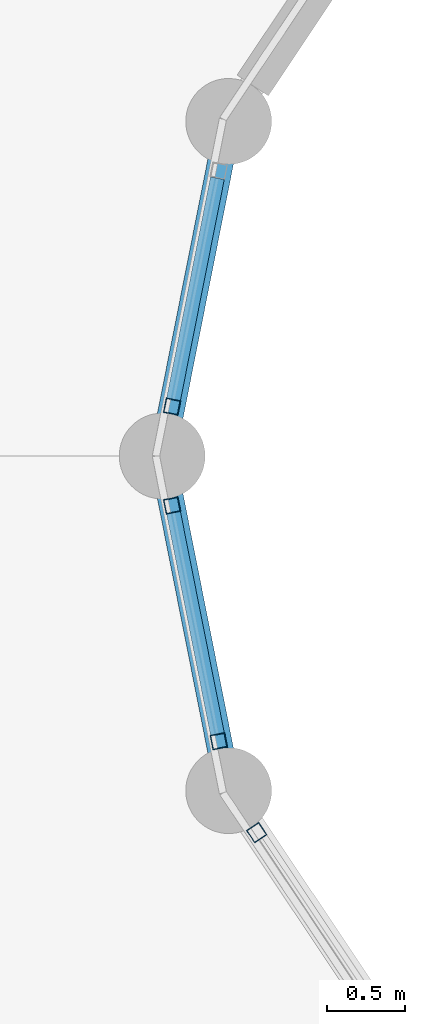
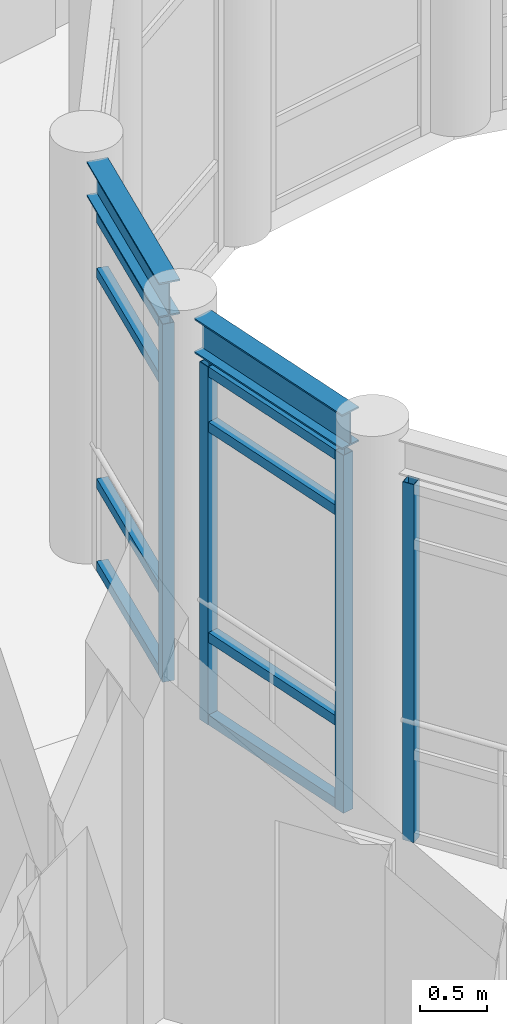
# One storey, part 60 of 149: 12 members, 2 beams, 3 elements without a shape of their own.
"""IFC4 building model written with IfcOpenShell, lengths in metres."""

from ifc_helpers import new_model, si_unit, direction, frame, origin, origin_2d, place, context, subcontext, project, spatial, hollow_rectangle, i_section, extrude, material, material_profile, profile_set, type_object, element, aggregate, save


model = new_model("IFC4")

# Units and contexts
model_context = context("Model", 3, precision=1e-05, world=origin(), true_north=direction((0.0, 1.0)))
body_context = subcontext(model_context, "Body", "Model", "MODEL_VIEW")
ifc_project = project(units=[si_unit("LENGTHUNIT", "METRE"), si_unit("AREAUNIT", "SQUARE_METRE"), si_unit("VOLUMEUNIT", "CUBIC_METRE"), si_unit("PLANEANGLEUNIT", "RADIAN"), si_unit("MASSUNIT", "GRAM", prefix="KILO")], contexts=[model_context])

# Site, building, storey
site_placement = place(None, origin())
site = spatial("IfcSite", under=ifc_project, at=site_placement, CompositionType="ELEMENT")
building_placement = place(site_placement, origin())
building = spatial("IfcBuilding", under=site, at=building_placement, Name="Celadon Cloister-Ring School", CompositionType="ELEMENT")
storey_placement = place(building_placement, frame((0.0, 0.0, 12.5)))
storey = spatial("IfcBuildingStorey", under=building, at=storey_placement, Name="L03", CompositionType="ELEMENT", Elevation=12.5)

# Curtain wall, member
ifc_material_1 = material(Name="Aluminium EN AW-6063 T6", Category="aluminium")
curtain_wall_type = type_object("IfcCurtainWallType", Name="CW-05", PredefinedType="USERDEFINED", material=ifc_material_1)
curtain_wall_1_placement = place(storey_placement, origin())
curtain_wall_1 = element("IfcCurtainWall", 1, at=curtain_wall_1_placement, inside=storey, type_object=curtain_wall_type, Name="Curtain Wall 0120", ObjectType="CURTAIN WALL", PredefinedType="USERDEFINED")
ifc_material_2 = material(Name="Aluminium EN AW-6063 T6", Category="aluminium")
ifc_material_profile_1 = material_profile(ifc_material_2, hollow_rectangle(XDim=0.094970703125, YDim=0.094970703125, WallThickness=0.00390625, at=origin_2d()), Name="RHS95X95X4")
ifc_profile_set_1 = profile_set([ifc_material_profile_1], Name="Aluminium EN AW-6063 T6")
member_type_1 = type_object("IfcMemberType", Name="CM-02", PredefinedType="MULLION", material=ifc_profile_set_1)
member_1_placement = place(storey_placement, frame((14.663330078125, 97.316650390625, 0.0), z_axis=(0.0, 0.0, 1.0), x_axis=(0.980885435464, -0.194586131301, 0.0)))
member_1 = element("IfcMember", 2, at=member_1_placement, type_object=member_type_1, Name="CW-05 mullion 2", PredefinedType="MULLION", context=body_context, shape_type="SweptSolid", body=[
    extrude(hollow_rectangle(XDim=0.094970703125, YDim=0.094970703125, WallThickness=0.00390625, at=origin_2d()), origin(), (0.0, 0.0, 1.0), 3.27490234375),
])

# Curtain wall, members
curtain_wall_2_placement = place(storey_placement, origin())
curtain_wall_2 = element("IfcCurtainWall", 3, at=curtain_wall_2_placement, inside=storey, type_object=curtain_wall_type, Name="Curtain Wall 0121", ObjectType="CURTAIN WALL", PredefinedType="USERDEFINED")
member_2_placement = place(storey_placement, frame((14.663330078125, 96.683349609375, 0.0), z_axis=(0.0, 0.0, 1.0), x_axis=(0.980885435464, 0.194586131301, 0.0)))
member_2 = element("IfcMember", 4, at=member_2_placement, type_object=member_type_1, Name="CW-05 mullion 1", PredefinedType="MULLION", context=body_context, shape_type="SweptSolid", body=[
    extrude(hollow_rectangle(XDim=0.094970703125, YDim=0.094970703125, WallThickness=0.00390625, at=origin_2d()), origin(), (0.0, 0.0, 1.0), 3.27490234375),
])
member_3_placement = place(storey_placement, frame((14.962646484375, 95.173583984375, 0.0), z_axis=(0.0, 0.0, 1.0), x_axis=(0.980885435464, 0.194586131301, 0.0)))
member_3 = element("IfcMember", 5, at=member_3_placement, type_object=member_type_1, Name="CW-05 mullion 2", PredefinedType="MULLION", context=body_context, shape_type="SweptSolid", body=[
    extrude(hollow_rectangle(XDim=0.094970703125, YDim=0.094970703125, WallThickness=0.00390625, at=origin_2d()), origin(), (0.0, 0.0, 1.0), 3.27490234375),
])

# Curtain wall, member
curtain_wall_3_placement = place(storey_placement, origin())
curtain_wall_3 = element("IfcCurtainWall", 6, at=curtain_wall_3_placement, inside=storey, type_object=curtain_wall_type, Name="Curtain Wall 0122", ObjectType="CURTAIN WALL", PredefinedType="USERDEFINED")
member_4_placement = place(storey_placement, frame((15.205322265625, 94.588623046875, 0.0), z_axis=(0.0, 0.0, 1.0), x_axis=(0.831485091394, 0.555547066224, 0.0)))
member_4 = element("IfcMember", 7, at=member_4_placement, type_object=member_type_1, Name="CW-05 mullion 1", PredefinedType="MULLION", context=body_context, shape_type="SweptSolid", body=[
    extrude(hollow_rectangle(XDim=0.094970703125, YDim=0.094970703125, WallThickness=0.00390625, at=origin_2d()), origin(), (0.0, 0.0, 1.0), 3.27490234375),
])
aggregate(curtain_wall_3, [member_4])

# Member
ifc_material_3 = material(Name="Aluminium EN AW-6063 T6", Category="aluminium")
ifc_material_profile_2 = material_profile(ifc_material_3, hollow_rectangle(XDim=0.090087890625, YDim=0.090087890625, WallThickness=0.00390625, at=origin_2d()), Name="RHS90X90X4")
ifc_profile_set_2 = profile_set([ifc_material_profile_2], Name="Aluminium EN AW-6063 T6")
member_type_2 = type_object("IfcMemberType", Name="CTM-02", PredefinedType="USERDEFINED", material=ifc_profile_set_2)
member_5_placement = place(storey_placement, frame((14.95361328125, 98.77978515625, 0.044921875), z_axis=(-0.194587856315, -0.980885093257, 0.0), x_axis=(0.980885093257, -0.194587856315, 0.0)))
member_5 = element("IfcMember", 8, at=member_5_placement, type_object=member_type_2, Name="CW-05 transom 1.1", ObjectType="TRANSOM", PredefinedType="USERDEFINED", context=body_context, shape_type="SweptSolid", body=[
    extrude(hollow_rectangle(XDim=0.090087890625, YDim=0.090087890625, WallThickness=0.00390625, at=origin_2d()), origin(), (0.0, 0.0, 1.0), 1.444091796875),
])

member_6_placement = place(storey_placement, frame((14.95361328125, 98.77978515625, 0.800048828125), z_axis=(-0.194587856315, -0.980885093257, 0.0), x_axis=(0.980885093257, -0.194587856315, 0.0)))
member_6 = element("IfcMember", 9, at=member_6_placement, type_object=member_type_2, Name="CW-05 transom 1.2", ObjectType="TRANSOM", PredefinedType="USERDEFINED", context=body_context, shape_type="SweptSolid", body=[
    extrude(hollow_rectangle(XDim=0.090087890625, YDim=0.090087890625, WallThickness=0.00390625, at=origin_2d()), origin(), (0.0, 0.0, 1.0), 1.444091796875),
])

member_7_placement = place(storey_placement, frame((14.95361328125, 98.77978515625, 2.72509765625), z_axis=(-0.194587856315, -0.980885093257, 0.0), x_axis=(0.980885093257, -0.194587856315, 0.0)))
member_7 = element("IfcMember", 10, at=member_7_placement, type_object=member_type_2, Name="CW-05 transom 1.3", ObjectType="TRANSOM", PredefinedType="USERDEFINED", context=body_context, shape_type="SweptSolid", body=[
    extrude(hollow_rectangle(XDim=0.090087890625, YDim=0.090087890625, WallThickness=0.00390625, at=origin_2d()), origin(), (0.0, 0.0, 1.0), 1.444091796875),
])

member_8_placement = place(storey_placement, frame((14.95361328125, 98.77978515625, 3.22998046875), z_axis=(-0.194587856315, -0.980885093257, 0.0), x_axis=(0.980885093257, -0.194587856315, 0.0)))
member_8 = element("IfcMember", 11, at=member_8_placement, type_object=member_type_2, Name="CW-05 transom 1.4", ObjectType="TRANSOM", PredefinedType="USERDEFINED", context=body_context, shape_type="SweptSolid", body=[
    extrude(hollow_rectangle(XDim=0.090087890625, YDim=0.090087890625, WallThickness=0.00390625, at=origin_2d()), origin(), (0.0, 0.0, 1.0), 1.444091796875),
])

aggregate(curtain_wall_1, [member_1, member_5, member_6, member_7, member_8])

member_9_placement = place(storey_placement, frame((14.672607421875, 96.63671875, 0.044921875), z_axis=(0.194587856315, -0.980885093257, 0.0), x_axis=(0.980885093257, 0.194587856315, 0.0)))
member_9 = element("IfcMember", 12, at=member_9_placement, type_object=member_type_2, Name="CW-05 transom 1.1", ObjectType="TRANSOM", PredefinedType="USERDEFINED", context=body_context, shape_type="SweptSolid", body=[
    extrude(hollow_rectangle(XDim=0.090087890625, YDim=0.090087890625, WallThickness=0.00390625, at=origin_2d()), origin(), (0.0, 0.0, 1.0), 1.444091796875),
])

member_10_placement = place(storey_placement, frame((14.672607421875, 96.63671875, 0.800048828125), z_axis=(0.194587856315, -0.980885093257, 0.0), x_axis=(0.980885093257, 0.194587856315, 0.0)))
member_10 = element("IfcMember", 13, at=member_10_placement, type_object=member_type_2, Name="CW-05 transom 1.2", ObjectType="TRANSOM", PredefinedType="USERDEFINED", context=body_context, shape_type="SweptSolid", body=[
    extrude(hollow_rectangle(XDim=0.090087890625, YDim=0.090087890625, WallThickness=0.00390625, at=origin_2d()), origin(), (0.0, 0.0, 1.0), 1.444091796875),
])

member_11_placement = place(storey_placement, frame((14.672607421875, 96.63671875, 2.72509765625), z_axis=(0.194587856315, -0.980885093257, 0.0), x_axis=(0.980885093257, 0.194587856315, 0.0)))
member_11 = element("IfcMember", 14, at=member_11_placement, type_object=member_type_2, Name="CW-05 transom 1.3", ObjectType="TRANSOM", PredefinedType="USERDEFINED", context=body_context, shape_type="SweptSolid", body=[
    extrude(hollow_rectangle(XDim=0.090087890625, YDim=0.090087890625, WallThickness=0.00390625, at=origin_2d()), origin(), (0.0, 0.0, 1.0), 1.444091796875),
])

member_12_placement = place(storey_placement, frame((14.672607421875, 96.63671875, 3.22998046875), z_axis=(0.194587856315, -0.980885093257, 0.0), x_axis=(0.980885093257, 0.194587856315, 0.0)))
member_12 = element("IfcMember", 15, at=member_12_placement, type_object=member_type_2, Name="CW-05 transom 1.4", ObjectType="TRANSOM", PredefinedType="USERDEFINED", context=body_context, shape_type="SweptSolid", body=[
    extrude(hollow_rectangle(XDim=0.090087890625, YDim=0.090087890625, WallThickness=0.00390625, at=origin_2d()), origin(), (0.0, 0.0, 1.0), 1.444091796875),
])

aggregate(curtain_wall_2, [member_2, member_3, member_9, member_10, member_11, member_12])

# Beams
ifc_material_4 = material(Name="Structural steel S355JR", Category="steel")
ifc_material_profile_3 = material_profile(ifc_material_4, i_section(OverallWidth=0.1669921875, OverallDepth=0.31689453125, WebThickness=0.007568359375, FlangeThickness=0.01318359375, at=origin_2d()), Name="W310X52")
ifc_profile_set_3 = profile_set([ifc_material_profile_3], Name="Structural steel S355JR")
beam_type = type_object("IfcBeamType", Name="SP-05", PredefinedType="SPANDREL", material=ifc_profile_set_3)
for number, where, z_axis, x_axis, name in (
    (16, (14.97705078125, 98.89794921875, 3.51708984375), (-0.194722830887, -0.980858307367, 0.0), (0.980858307367, -0.194722830887, 0.0), "Beam 0829"),
    (17, (14.64892578125, 96.7548828125, 3.51708984375), (0.194722830887, -0.980858307367, 0.0), (0.980858307367, 0.194722830887, 0.0), "Beam 0831"),
):
    element("IfcBeam", number, at=place(storey_placement, frame(where, z_axis=z_axis, x_axis=x_axis)), inside=storey, type_object=beam_type, Name=name, PredefinedType="SPANDREL", context=body_context, shape_type="SweptSolid", body=[
        extrude(i_section(OverallWidth=0.1669921875, OverallDepth=0.31689453125, WebThickness=0.007568359375, FlangeThickness=0.01318359375, at=origin_2d()), origin(), (0.0, 0.0, 1.0), 1.68505859375),
    ])

save(model, "model.ifc")
